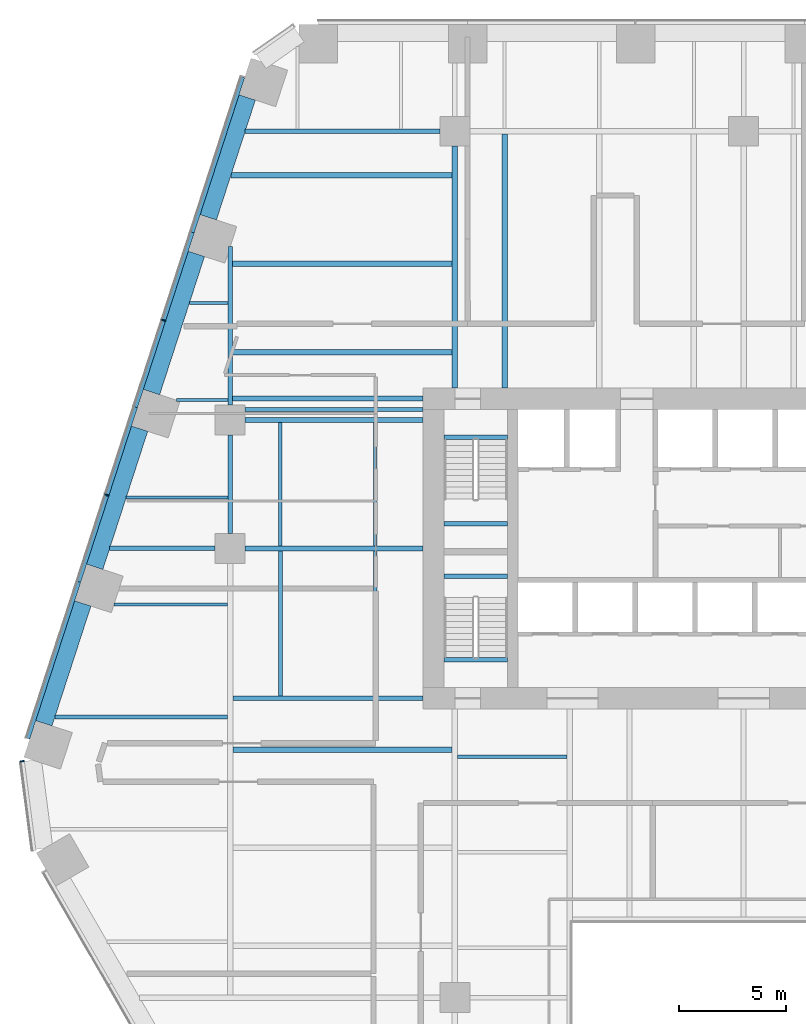
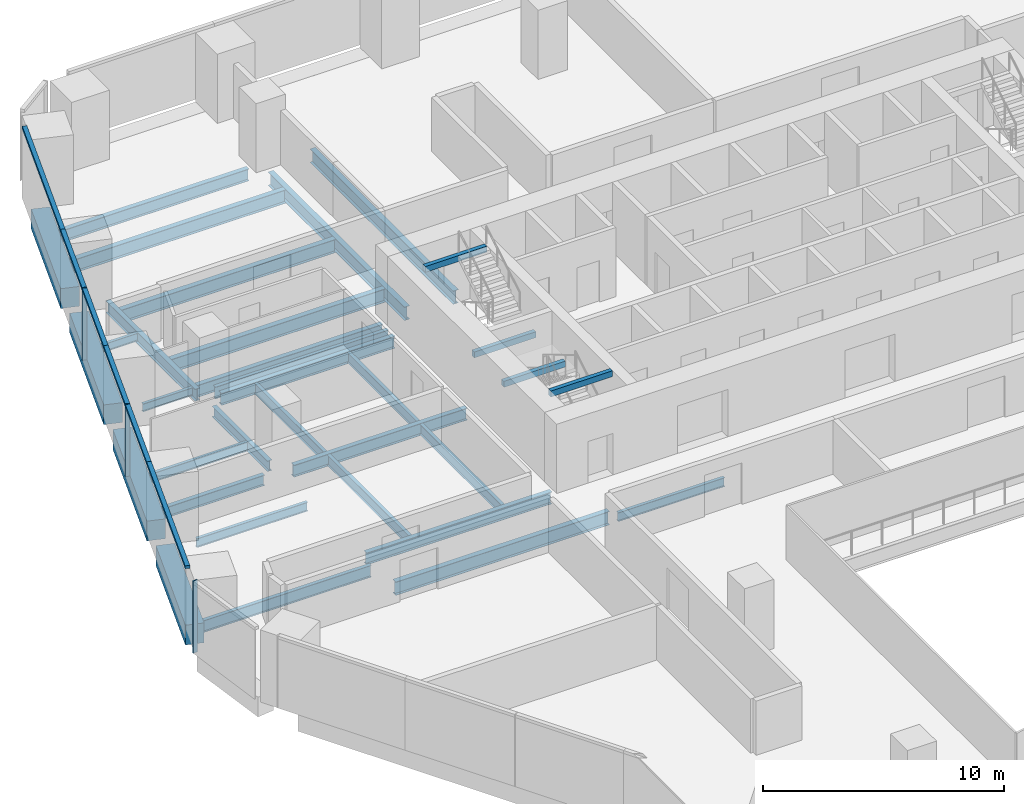
# One storey, part 8 of 20: 33 beams, 9 members, 2 elements without a shape of their own.
"""IFC4 building model written with IfcOpenShell, lengths in metres."""

from ifc_helpers import new_model, si_unit, direction, frame, origin, origin_2d, place, context, subcontext, project, spatial, rectangle, i_section, extrude, material, layer, layer_set, material_profile, profile_set, type_object, element, aggregate, save


model = new_model("IFC4")

# Units and contexts
model_context = context("Model", 3, precision=1e-05, world=origin(), true_north=direction((0.0, 1.0)))
body_context = subcontext(model_context, "Body", "Model", "MODEL_VIEW")
ifc_project = project(units=[si_unit("LENGTHUNIT", "METRE"), si_unit("AREAUNIT", "SQUARE_METRE"), si_unit("VOLUMEUNIT", "CUBIC_METRE"), si_unit("PLANEANGLEUNIT", "RADIAN"), si_unit("MASSUNIT", "GRAM", prefix="KILO")], contexts=[model_context])

# Site, building, storey
site_placement = place(None, origin())
site = spatial("IfcSite", under=ifc_project, at=site_placement, CompositionType="ELEMENT")
building_placement = place(site_placement, origin())
building = spatial("IfcBuilding", under=site, at=building_placement, Name="Isthmus Gate Tower", CompositionType="ELEMENT")
storey_placement = place(building_placement, frame((0.0, 0.0, 61.550048828125)))
storey = spatial("IfcBuildingStorey", under=building, at=storey_placement, Name="L13", CompositionType="ELEMENT", Elevation=61.550048828125)

# Curtain wall, members
ifc_material_1 = material(Name="Aluminium, pale champagne anodised", Category="aluminium")
ifc_layer = layer(ifc_material_1, 0.199951171875)
ifc_layer_set = layer_set([ifc_layer], Name="CW-1 UNITISED CURTAIN WALL 200 DEEP")
curtain_wall_type = type_object("IfcCurtainWallType", Name="CW-1 UNITISED CURTAIN WALL 200 DEEP", PredefinedType="NOTDEFINED", material=ifc_layer_set)
curtain_wall_1_placement = place(storey_placement, origin())
curtain_wall_1 = element("IfcCurtainWall", 1, at=curtain_wall_1_placement, inside=storey, type_object=curtain_wall_type, Name="CW-1 NW L13", PredefinedType="NOTDEFINED")
ifc_material_2 = material(Name="Aluminium, pale champagne anodised", Category="aluminium")
ifc_material_profile_1 = material_profile(ifc_material_2, rectangle(XDim=0.06005859375, YDim=0.199951171875, at=origin_2d()), Name="60x200")
ifc_profile_set_1 = profile_set([ifc_material_profile_1], Name="Aluminium, pale champagne anodised")
member_type_1 = type_object("IfcMemberType", Name="CW-1 MULLION 60 X 200", PredefinedType="MULLION", material=ifc_profile_set_1)
member_1_placement = place(storey_placement, frame((-27.11474609375, 18.163818359375, 0.0), z_axis=(0.0, 0.0, 1.0), x_axis=(-0.309016994375, -0.951056516295, 0.0)))
member_1 = element("IfcMember", 2, at=member_1_placement, type_object=member_type_1, Name="CW-1 mullion", PredefinedType="MULLION", context=body_context, shape_type="SweptSolid", body=[
    extrude(rectangle(XDim=0.06005859375, YDim=0.199951171875, at=origin_2d()), origin(), (0.0, 0.0, 1.0), 3.64990234375),
])
member_2_placement = place(storey_placement, frame((-29.76904296875, 9.994873046875, 0.0), z_axis=(0.0, 0.0, 1.0), x_axis=(-0.309016994375, -0.951056516295, 0.0)))
member_2 = element("IfcMember", 3, at=member_2_placement, type_object=member_type_1, Name="CW-1 mullion", PredefinedType="MULLION", context=body_context, shape_type="SweptSolid", body=[
    extrude(rectangle(XDim=0.06005859375, YDim=0.199951171875, at=origin_2d()), origin(), (0.0, 0.0, 1.0), 3.64990234375),
])

# Curtain wall, member
curtain_wall_2_placement = place(storey_placement, origin())
curtain_wall_2 = element("IfcCurtainWall", 4, at=curtain_wall_2_placement, inside=storey, type_object=curtain_wall_type, Name="CW-1 NW-SW L13", PredefinedType="NOTDEFINED")
member_3_placement = place(storey_placement, frame((-33.722900390625, -2.44482421875, 0.0), z_axis=(0.0, 0.0, 1.0), x_axis=(0.129164534, -0.991623175988, 0.0)))
member_3 = element("IfcMember", 5, at=member_3_placement, type_object=member_type_1, Name="CW-1 mullion", PredefinedType="MULLION", context=body_context, shape_type="SweptSolid", body=[
    extrude(rectangle(XDim=0.06005859375, YDim=0.199951171875, at=origin_2d()), origin(), (0.0, 0.0, 1.0), 3.64990234375),
])
aggregate(curtain_wall_2, [member_3])

# Member
ifc_material_3 = material(Name="Aluminium, pale champagne anodised", Category="aluminium")
ifc_material_profile_2 = material_profile(ifc_material_3, rectangle(XDim=0.199951171875, YDim=0.14990234375, at=origin_2d()), Name="200x150")
ifc_profile_set_2 = profile_set([ifc_material_profile_2], Name="Aluminium, pale champagne anodised")
member_type_2 = type_object("IfcMemberType", Name="CW-1 TRANSOM 200 X 150", PredefinedType="USERDEFINED", material=ifc_profile_set_2)
member_4_placement = place(storey_placement, frame((-23.4208984375, 29.532958984375, 3.574951171875), z_axis=(-0.309018780445, -0.951055935964, 0.0), x_axis=(0.951055935964, -0.309018780445, 0.0)))
member_4 = element("IfcMember", 6, at=member_4_placement, type_object=member_type_2, Name="CW-1 transom", ObjectType="TRANSOM", PredefinedType="USERDEFINED", context=body_context, shape_type="SweptSolid", body=[
    extrude(rectangle(XDim=0.199951171875, YDim=0.14990234375, at=origin_2d()), origin(), (0.0, 0.0, 1.0), 7.629638671875),
])

member_5_placement = place(storey_placement, frame((-25.778564453125, 22.27685546875, 3.574951171875), z_axis=(-0.309021801109, -0.951054954479, 0.0), x_axis=(0.951054954479, -0.309021801109, 0.0)))
member_5 = element("IfcMember", 7, at=member_5_placement, type_object=member_type_2, Name="CW-1 transom", ObjectType="TRANSOM", PredefinedType="USERDEFINED", context=body_context, shape_type="SweptSolid", body=[
    extrude(rectangle(XDim=0.199951171875, YDim=0.14990234375, at=origin_2d()), origin(), (0.0, 0.0, 1.0), 4.294677734375),
])

member_6_placement = place(storey_placement, frame((-27.1240234375, 18.13525390625, 3.574951171875), z_axis=(-0.309023496777, -0.951054403512, 0.0), x_axis=(0.951054403512, -0.309023496777, 0.0)))
member_6 = element("IfcMember", 8, at=member_6_placement, type_object=member_type_2, Name="CW-1 transom", ObjectType="TRANSOM", PredefinedType="USERDEFINED", context=body_context, shape_type="SweptSolid", body=[
    extrude(rectangle(XDim=0.199951171875, YDim=0.14990234375, at=origin_2d()), origin(), (0.0, 0.0, 1.0), 4.234619140625),
])

member_7_placement = place(storey_placement, frame((-28.4326171875, 14.10791015625, 3.574951171875), z_axis=(-0.309021801109, -0.951054954479, 0.0), x_axis=(0.951054954479, -0.309021801109, 0.0)))
member_7 = element("IfcMember", 9, at=member_7_placement, type_object=member_type_2, Name="CW-1 transom", ObjectType="TRANSOM", PredefinedType="USERDEFINED", context=body_context, shape_type="SweptSolid", body=[
    extrude(rectangle(XDim=0.199951171875, YDim=0.14990234375, at=origin_2d()), origin(), (0.0, 0.0, 1.0), 4.294677734375),
])

member_8_placement = place(storey_placement, frame((-29.7783203125, 9.96630859375, 3.574951171875), z_axis=(-0.309023496777, -0.951054403512, 0.0), x_axis=(0.951054403512, -0.309023496777, 0.0)))
member_8 = element("IfcMember", 10, at=member_8_placement, type_object=member_type_2, Name="CW-1 transom", ObjectType="TRANSOM", PredefinedType="USERDEFINED", context=body_context, shape_type="SweptSolid", body=[
    extrude(rectangle(XDim=0.199951171875, YDim=0.14990234375, at=origin_2d()), origin(), (0.0, 0.0, 1.0), 4.234619140625),
])

member_9_placement = place(storey_placement, frame((-31.0869140625, 5.93896484375, 3.574951171875), z_axis=(-0.30902720148, -0.951053199745, 0.0), x_axis=(0.951053199745, -0.30902720148, 0.0)))
member_9 = element("IfcMember", 11, at=member_9_placement, type_object=member_type_2, Name="CW-1 transom", ObjectType="TRANSOM", PredefinedType="USERDEFINED", context=body_context, shape_type="SweptSolid", body=[
    extrude(rectangle(XDim=0.199951171875, YDim=0.14990234375, at=origin_2d()), origin(), (0.0, 0.0, 1.0), 7.689453125),
])

aggregate(curtain_wall_1, [member_4, member_5, member_1, member_6, member_7, member_2, member_8, member_9])

# Beams
ifc_material_4 = material(Name="Concrete f'c 70 MPa", Category="concrete")
ifc_material_profile_3 = material_profile(ifc_material_4, rectangle(XDim=0.800048828125, YDim=1.0, at=origin_2d()), Name="RC 800X1000")
ifc_profile_set_3 = profile_set([ifc_material_profile_3], Name="Concrete f'c 70 MPa")
beam_type_1 = type_object("IfcBeamType", Name="RC SPANDREL 800 X 1000", PredefinedType="SPANDREL", material=ifc_profile_set_3)
beam_1_placement = place(storey_placement, frame((-32.70947265625, -0.672607421875, -0.5), z_axis=(0.309005457803, 0.951060264677, 0.0), x_axis=(-0.951060264677, 0.309005457803, 0.0)))
element("IfcBeam", 12, at=beam_1_placement, inside=storey, type_object=beam_type_1, Name="str-spandrel-L13-18", PredefinedType="SPANDREL", context=body_context, shape_type="SweptSolid", body=[
    extrude(rectangle(XDim=0.800048828125, YDim=1.0, at=origin_2d()), origin(), (0.0, 0.0, 1.0), 5.889404296875),
])
for number, where, z_axis, x_axis, name in (
    (13, (-30.333251953125, 6.640380859375, -0.5), (0.30900150794, 0.951061548004, 0.0), (-0.951061548004, 0.30900150794, 0.0), "str-spandrel-L13-19"),
    (14, (-27.67919921875, 14.809326171875, -0.5), (0.309034033576, 0.951050979754, 0.0), (-0.951050979754, 0.309034033576, 0.0), "str-spandrel-L13-20"),
):
    element("IfcBeam", number, at=place(storey_placement, frame(where, z_axis=z_axis, x_axis=x_axis)), inside=storey, type_object=beam_type_1, Name=name, PredefinedType="SPANDREL", context=body_context, shape_type="SweptSolid", body=[
        extrude(rectangle(XDim=0.800048828125, YDim=1.0, at=origin_2d()), origin(), (0.0, 0.0, 1.0), 6.789306640625),
    ])
beam_2_placement = place(storey_placement, frame((-25.02490234375, 22.978271484375, -0.5), z_axis=(0.309042953764, 0.951048081187, 0.0), x_axis=(-0.951048081187, 0.309042953764, 0.0)))
element("IfcBeam", 15, at=beam_2_placement, inside=storey, type_object=beam_type_1, Name="str-spandrel-L13-21", PredefinedType="SPANDREL", context=body_context, shape_type="SweptSolid", body=[
    extrude(rectangle(XDim=0.800048828125, YDim=1.0, at=origin_2d()), origin(), (0.0, 0.0, 1.0), 5.889404296875),
])
ifc_material_5 = material(Name="Concrete f'c 40 MPa", Category="concrete")
ifc_material_profile_4 = material_profile(ifc_material_5, rectangle(XDim=0.199951171875, YDim=0.300048828125, at=origin_2d()), Name="STAIR LANDING BEAM RC 200 X 300")
ifc_profile_set_4 = profile_set([ifc_material_profile_4], Name="Concrete f'c 40 MPa")
beam_type_2 = type_object("IfcBeamType", Name="STAIR LANDING BEAM RC 200 X 300", PredefinedType="BEAM", material=ifc_profile_set_4)
for number, where, z_axis, x_axis, name in (
    (16, (-14.0, 8.64990234375, 1.474853515625), (1.0, 0.0, 0.0), (0.0, 1.0, 0.0), "L13 ST1 landing beam 1"),
    (17, (-14.0, 12.7001953125, 3.349853515625), (1.0, 0.0, 0.0), (0.0, 1.0, 0.0), "L13 ST1 floor-edge seat beam"),
    (18, (-14.0, 6.199951171875, 1.474853515625), (1.0, 0.0, 0.0), (0.0, 1.0, 0.0), "L13 ST7 landing beam 1"),
    (19, (-14.0, 2.2998046875, 3.349853515625), (1.0, 0.0, 0.0), (0.0, 1.0, 0.0), "L13 ST7 floor-edge seat beam"),
):
    element("IfcBeam", number, at=place(storey_placement, frame(where, z_axis=z_axis, x_axis=x_axis)), inside=storey, type_object=beam_type_2, Name=name, PredefinedType="BEAM", context=body_context, shape_type="SweptSolid", body=[
        extrude(rectangle(XDim=0.199951171875, YDim=0.300048828125, at=origin_2d()), origin(), (0.0, 0.0, 1.0), 2.949951171875),
    ])
ifc_material_6 = material(Name="Structural steel ASTM A992 Gr 50", Category="steel")
ifc_material_profile_5 = material_profile(ifc_material_6, i_section(OverallWidth=0.1396484375, OverallDepth=0.4033203125, WebThickness=0.00634765625, FlangeThickness=0.010986328125, at=origin_2d()), Name="W16X31")
ifc_profile_set_5 = profile_set([ifc_material_profile_5], Name="Structural steel ASTM A992 Gr 50")
beam_type_3 = type_object("IfcBeamType", Name="STEEL FLOOR BEAM W16X31", PredefinedType="JOIST", material=ifc_profile_set_5)
beam_3_placement = place(storey_placement, frame((-26.503662109375, 14.427490234375, -0.3515625), z_axis=(1.0, 0.0, 0.0), x_axis=(0.0, 1.0, 0.0)))
element("IfcBeam", 20, at=beam_3_placement, inside=storey, type_object=beam_type_3, Name="str-beam-L13-01-01", PredefinedType="JOIST", context=body_context, shape_type="SweptSolid", body=[
    extrude(i_section(OverallWidth=0.1396484375, OverallDepth=0.4033203125, WebThickness=0.00634765625, FlangeThickness=0.010986328125, at=origin_2d()), origin(), (0.0, 0.0, 1.0), 2.389404296875),
])
beam_4_placement = place(storey_placement, frame((-25.90478515625, 18.975830078125, -0.3515625), z_axis=(1.0, 0.0, 0.0), x_axis=(0.0, 1.0, 0.0)))
element("IfcBeam", 21, at=beam_4_placement, inside=storey, type_object=beam_type_3, Name="str-beam-L13-01-02", PredefinedType="JOIST", context=body_context, shape_type="SweptSolid", body=[
    extrude(i_section(OverallWidth=0.1396484375, OverallDepth=0.4033203125, WebThickness=0.00634765625, FlangeThickness=0.010986328125, at=origin_2d()), origin(), (0.0, 0.0, 1.0), 1.79052734375),
])
ifc_material_7 = material(Name="Structural steel ASTM A992 Gr 50", Category="steel")
ifc_material_profile_6 = material_profile(ifc_material_7, i_section(OverallWidth=0.15234375, OverallDepth=0.45068359375, WebThickness=0.0078125, FlangeThickness=0.010986328125, at=origin_2d()), Name="W18X35")
ifc_profile_set_6 = profile_set([ifc_material_profile_6], Name="Structural steel ASTM A992 Gr 50")
beam_type_4 = type_object("IfcBeamType", Name="STEEL FLOOR BEAM W18X35", PredefinedType="JOIST", material=ifc_profile_set_6)
beam_5_placement = place(storey_placement, frame((-29.434814453125, 4.875, -0.37548828125), z_axis=(1.0, 0.0, 0.0), x_axis=(0.0, 1.0, 0.0)))
element("IfcBeam", 22, at=beam_5_placement, inside=storey, type_object=beam_type_4, Name="str-beam-L13-00-03", PredefinedType="JOIST", context=body_context, shape_type="SweptSolid", body=[
    extrude(i_section(OverallWidth=0.15234375, OverallDepth=0.45068359375, WebThickness=0.0078125, FlangeThickness=0.010986328125, at=origin_2d()), origin(), (0.0, 0.0, 1.0), 5.301513671875),
])
beam_6_placement = place(storey_placement, frame((-28.860595703125, 9.87890625, -0.37548828125), z_axis=(1.0, 0.0, 0.0), x_axis=(0.0, 1.0, 0.0)))
element("IfcBeam", 23, at=beam_6_placement, inside=storey, type_object=beam_type_4, Name="str-beam-L13-01-00", PredefinedType="JOIST", context=body_context, shape_type="SweptSolid", body=[
    extrude(i_section(OverallWidth=0.15234375, OverallDepth=0.45068359375, WebThickness=0.0078125, FlangeThickness=0.010986328125, at=origin_2d()), origin(), (0.0, 0.0, 1.0), 4.755859375),
])
beam_7_placement = place(storey_placement, frame((-13.3681640625, -2.232421875, -0.37548828125), z_axis=(1.0, 0.0, 0.0), x_axis=(0.0, 1.0, 0.0)))
element("IfcBeam", 24, at=beam_7_placement, inside=storey, type_object=beam_type_4, Name="str-beam-L13-11-02", PredefinedType="JOIST", context=body_context, shape_type="SweptSolid", body=[
    extrude(i_section(OverallWidth=0.15234375, OverallDepth=0.45068359375, WebThickness=0.0078125, FlangeThickness=0.010986328125, at=origin_2d()), origin(), (0.0, 0.0, 1.0), 5.1015625),
])
ifc_material_8 = material(Name="Structural steel ASTM A992 Gr 50", Category="steel")
ifc_material_profile_7 = material_profile(ifc_material_8, i_section(OverallWidth=0.1650390625, OverallDepth=0.52392578125, WebThickness=0.009521484375, FlangeThickness=0.010986328125, at=origin_2d()), Name="W21X44")
ifc_profile_set_7 = profile_set([ifc_material_profile_7], Name="Structural steel ASTM A992 Gr 50")
beam_type_5 = type_object("IfcBeamType", Name="STEEL FLOOR BEAM W21X44", PredefinedType="JOIST", material=ifc_profile_set_7)
for number, where, z_axis, x_axis, name in (
    (25, (-21.64990234375, 0.6142578125, -0.412109375), (0.0, 1.0, 0.0), (-1.0, 0.0, 0.0), "str-beam-L13-02-00"),
    (26, (-17.216552734375, 0.6142578125, -0.412109375), (0.0, 1.0, 0.0), (-1.0, 0.0, 0.0), "str-beam-L13-02-01"),
):
    element("IfcBeam", number, at=place(storey_placement, frame(where, z_axis=z_axis, x_axis=x_axis)), inside=storey, type_object=beam_type_5, Name=name, PredefinedType="JOIST", context=body_context, shape_type="SweptSolid", body=[
        extrude(i_section(OverallWidth=0.1650390625, OverallDepth=0.52392578125, WebThickness=0.009521484375, FlangeThickness=0.010986328125, at=origin_2d()), origin(), (0.0, 0.0, 1.0), 6.771484375),
    ])
for number, where, z_axis, x_axis, name in (
    (27, (-21.67138671875, 7.6142578125, -0.412109375), (0.0, 1.0, 0.0), (-1.0, 0.0, 0.0), "str-beam-L13-03-00"),
    (28, (-17.223876953125, 7.6142578125, -0.412109375), (0.0, 1.0, 0.0), (-1.0, 0.0, 0.0), "str-beam-L13-03-01"),
):
    element("IfcBeam", number, at=place(storey_placement, frame(where, z_axis=z_axis, x_axis=x_axis)), inside=storey, type_object=beam_type_5, Name=name, PredefinedType="JOIST", context=body_context, shape_type="SweptSolid", body=[
        extrude(i_section(OverallWidth=0.1650390625, OverallDepth=0.52392578125, WebThickness=0.009521484375, FlangeThickness=0.010986328125, at=origin_2d()), origin(), (0.0, 0.0, 1.0), 5.771484375),
    ])
ifc_material_9 = material(Name="Structural steel ASTM A992 Gr 50", Category="steel")
ifc_material_profile_8 = material_profile(ifc_material_9, i_section(OverallWidth=0.177734375, OverallDepth=0.60009765625, WebThickness=0.009521484375, FlangeThickness=0.0126953125, at=origin_2d()), Name="W24X55")
ifc_profile_set_8 = profile_set([ifc_material_profile_8], Name="Structural steel ASTM A992 Gr 50")
beam_type_6 = type_object("IfcBeamType", Name="STEEL FLOOR BEAM W24X55", PredefinedType="JOIST", material=ifc_profile_set_8)
beam_8_placement = place(storey_placement, frame((-32.192138671875, -0.375, -0.4501953125), z_axis=(1.0, 0.0, 0.0), x_axis=(0.0, 1.0, 0.0)))
element("IfcBeam", 29, at=beam_8_placement, inside=storey, type_object=beam_type_6, Name="str-beam-L13-00-02", PredefinedType="JOIST", context=body_context, shape_type="SweptSolid", body=[
    extrude(i_section(OverallWidth=0.177734375, OverallDepth=0.60009765625, WebThickness=0.009521484375, FlangeThickness=0.0126953125, at=origin_2d()), origin(), (0.0, 0.0, 1.0), 8.058837890625),
])
beam_9_placement = place(storey_placement, frame((-23.300048828125, 14.0, -0.4501953125), z_axis=(1.0, 0.0, 0.0), x_axis=(0.0, 1.0, 0.0)))
element("IfcBeam", 30, at=beam_9_placement, inside=storey, type_object=beam_type_6, Name="str-beam-L13-04-00", PredefinedType="JOIST", context=body_context, shape_type="SweptSolid", body=[
    extrude(i_section(OverallWidth=0.177734375, OverallDepth=0.60009765625, WebThickness=0.009521484375, FlangeThickness=0.0126953125, at=origin_2d()), origin(), (0.0, 0.0, 1.0), 8.300048828125),
])
ifc_material_10 = material(Name="Structural steel ASTM A992 Gr 50", Category="steel")
ifc_material_profile_9 = material_profile(ifc_material_10, i_section(OverallWidth=0.25390625, OverallDepth=0.679443359375, WebThickness=0.010986328125, FlangeThickness=0.015869140625, at=origin_2d()), Name="W27X84")
ifc_profile_set_9 = profile_set([ifc_material_profile_9], Name="Structural steel ASTM A992 Gr 50")
beam_type_7 = type_object("IfcBeamType", Name="STEEL FLOOR BEAM W27X84", PredefinedType="JOIST", material=ifc_profile_set_9)
for number, where, z_axis, x_axis, name in (
    (31, (-23.8857421875, 16.678466796875, -0.48974609375), (1.0, 0.0, 0.0), (0.0, 1.0, 0.0), "str-beam-L13-06-00"),
    (32, (-23.8857421875, 20.80712890625, -0.48974609375), (1.0, 0.0, 0.0), (0.0, 1.0, 0.0), "str-beam-L13-06-01"),
):
    element("IfcBeam", number, at=place(storey_placement, frame(where, z_axis=z_axis, x_axis=x_axis)), inside=storey, type_object=beam_type_7, Name=name, PredefinedType="JOIST", context=body_context, shape_type="SweptSolid", body=[
        extrude(i_section(OverallWidth=0.25390625, OverallDepth=0.679443359375, WebThickness=0.010986328125, FlangeThickness=0.015869140625, at=origin_2d()), origin(), (0.0, 0.0, 1.0), 10.2587890625),
    ])
beam_10_placement = place(storey_placement, frame((-23.96826171875, 24.935791015625, -0.48974609375), z_axis=(1.0, 0.0, 0.0), x_axis=(0.0, 1.0, 0.0)))
element("IfcBeam", 33, at=beam_10_placement, inside=storey, type_object=beam_type_7, Name="str-beam-L13-06-02", PredefinedType="JOIST", context=body_context, shape_type="SweptSolid", body=[
    extrude(i_section(OverallWidth=0.25390625, OverallDepth=0.679443359375, WebThickness=0.010986328125, FlangeThickness=0.015869140625, at=origin_2d()), origin(), (0.0, 0.0, 1.0), 10.34130859375),
])
beam_11_placement = place(storey_placement, frame((-23.86669921875, -1.90625, -0.48974609375), z_axis=(1.0, 0.0, 0.0), x_axis=(0.0, 1.0, 0.0)))
element("IfcBeam", 34, at=beam_11_placement, inside=storey, type_object=beam_type_7, Name="str-beam-L13-07-02", PredefinedType="JOIST", context=body_context, shape_type="SweptSolid", body=[
    extrude(i_section(OverallWidth=0.25390625, OverallDepth=0.679443359375, WebThickness=0.010986328125, FlangeThickness=0.015869140625, at=origin_2d()), origin(), (0.0, 0.0, 1.0), 10.23486328125),
])
beam_12_placement = place(storey_placement, frame((-11.165283203125, 15.0, -0.48974609375), z_axis=(0.0, 1.0, 0.0), x_axis=(-1.0, 0.0, 0.0)))
element("IfcBeam", 35, at=beam_12_placement, inside=storey, type_object=beam_type_7, Name="str-beam-L13-13-00", PredefinedType="JOIST", context=body_context, shape_type="SweptSolid", body=[
    extrude(i_section(OverallWidth=0.25390625, OverallDepth=0.679443359375, WebThickness=0.010986328125, FlangeThickness=0.015869140625, at=origin_2d()), origin(), (0.0, 0.0, 1.0), 11.8681640625),
])
ifc_material_11 = material(Name="Structural steel ASTM A992 Gr 50", Category="steel")
ifc_material_profile_10 = material_profile(ifc_material_11, i_section(OverallWidth=0.20947265625, OverallDepth=0.533447265625, WebThickness=0.009521484375, FlangeThickness=0.015869140625, at=origin_2d()), Name="W21X62")
ifc_profile_set_10 = profile_set([ifc_material_profile_10], Name="Structural steel ASTM A992 Gr 50")
beam_type_8 = type_object("IfcBeamType", Name="STEEL GIRDER W21X62", PredefinedType="BEAM", material=ifc_profile_set_10)
beam_13_placement = place(storey_placement, frame((-29.633544921875, 7.5, -0.416748046875), z_axis=(1.0, 0.0, 0.0), x_axis=(0.0, 1.0, 0.0)))
element("IfcBeam", 36, at=beam_13_placement, inside=storey, type_object=beam_type_8, Name="str-girder-L13-09", PredefinedType="BEAM", context=body_context, shape_type="SweptSolid", body=[
    extrude(i_section(OverallWidth=0.20947265625, OverallDepth=0.533447265625, WebThickness=0.009521484375, FlangeThickness=0.015869140625, at=origin_2d()), origin(), (0.0, 0.0, 1.0), 4.93359375),
])
beam_14_placement = place(storey_placement, frame((-24.0, 8.199951171875, -0.416748046875), z_axis=(0.0, 1.0, 0.0), x_axis=(-1.0, 0.0, 0.0)))
element("IfcBeam", 37, at=beam_14_placement, inside=storey, type_object=beam_type_8, Name="str-girder-L13-21", PredefinedType="BEAM", context=body_context, shape_type="SweptSolid", body=[
    extrude(i_section(OverallWidth=0.20947265625, OverallDepth=0.533447265625, WebThickness=0.009521484375, FlangeThickness=0.015869140625, at=origin_2d()), origin(), (0.0, 0.0, 1.0), 4.60009765625),
])
ifc_material_12 = material(Name="Structural steel ASTM A992 Gr 50", Category="steel")
ifc_material_profile_11 = material_profile(ifc_material_12, i_section(OverallWidth=0.228515625, OverallDepth=0.603271484375, WebThickness=0.010986328125, FlangeThickness=0.014404296875, at=origin_2d()), Name="W24X68")
ifc_profile_set_11 = profile_set([ifc_material_profile_11], Name="Structural steel ASTM A992 Gr 50")
beam_type_9 = type_object("IfcBeamType", Name="STEEL GIRDER W24X68", PredefinedType="BEAM", material=ifc_profile_set_11)
beam_15_placement = place(storey_placement, frame((-24.0, 14.199951171875, -0.45166015625), z_axis=(0.0, 1.0, 0.0), x_axis=(-1.0, 0.0, 0.0)))
element("IfcBeam", 38, at=beam_15_placement, inside=storey, type_object=beam_type_9, Name="str-girder-L13-22", PredefinedType="BEAM", context=body_context, shape_type="SweptSolid", body=[
    extrude(i_section(OverallWidth=0.228515625, OverallDepth=0.603271484375, WebThickness=0.010986328125, FlangeThickness=0.014404296875, at=origin_2d()), origin(), (0.0, 0.0, 1.0), 7.402099609375),
])
ifc_material_13 = material(Name="Structural steel ASTM A992 Gr 50", Category="steel")
ifc_material_profile_12 = material_profile(ifc_material_13, i_section(OverallWidth=0.228515625, OverallDepth=0.6064453125, WebThickness=0.010986328125, FlangeThickness=0.017578125, at=origin_2d()), Name="W24X76")
ifc_profile_set_12 = profile_set([ifc_material_profile_12], Name="Structural steel ASTM A992 Gr 50")
beam_type_10 = type_object("IfcBeamType", Name="STEEL GIRDER W24X76", PredefinedType="BEAM", material=ifc_profile_set_12)
for number, where, z_axis, x_axis, name in (
    (39, (-23.300048828125, 7.5, -0.453369140625), (1.0, 0.0, 0.0), (0.0, 1.0, 0.0), "str-girder-L13-10"),
    (40, (-23.300048828125, 13.5, -0.453369140625), (1.0, 0.0, 0.0), (0.0, 1.0, 0.0), "str-girder-L13-13"),
):
    element("IfcBeam", number, at=place(storey_placement, frame(where, z_axis=z_axis, x_axis=x_axis)), inside=storey, type_object=beam_type_10, Name=name, PredefinedType="BEAM", context=body_context, shape_type="SweptSolid", body=[
        extrude(i_section(OverallWidth=0.228515625, OverallDepth=0.6064453125, WebThickness=0.010986328125, FlangeThickness=0.017578125, at=origin_2d()), origin(), (0.0, 0.0, 1.0), 8.300048828125),
    ])
beam_16_placement = place(storey_placement, frame((-23.297607421875, 27.0, -0.453369140625), z_axis=(1.0, 0.0, 0.0), x_axis=(0.0, 1.0, 0.0)))
element("IfcBeam", 41, at=beam_16_placement, inside=storey, type_object=beam_type_10, Name="str-girder-L13-16", PredefinedType="BEAM", context=body_context, shape_type="SweptSolid", body=[
    extrude(i_section(OverallWidth=0.228515625, OverallDepth=0.6064453125, WebThickness=0.010986328125, FlangeThickness=0.017578125, at=origin_2d()), origin(), (0.0, 0.0, 1.0), 9.09765625),
])
beam_17_placement = place(storey_placement, frame((-15.0, 0.5, -0.453369140625), z_axis=(-1.0, 0.0, 0.0), x_axis=(0.0, -1.0, 0.0)))
element("IfcBeam", 42, at=beam_17_placement, inside=storey, type_object=beam_type_10, Name="str-girder-L13-38", PredefinedType="BEAM", context=body_context, shape_type="SweptSolid", body=[
    extrude(i_section(OverallWidth=0.228515625, OverallDepth=0.6064453125, WebThickness=0.010986328125, FlangeThickness=0.017578125, at=origin_2d()), origin(), (0.0, 0.0, 1.0), 8.86669921875),
])
beam_18_placement = place(storey_placement, frame((-15.0, 14.5, -0.453369140625), z_axis=(-1.0, 0.0, 0.0), x_axis=(0.0, -1.0, 0.0)))
element("IfcBeam", 43, at=beam_18_placement, inside=storey, type_object=beam_type_10, Name="str-girder-L13-40", PredefinedType="BEAM", context=body_context, shape_type="SweptSolid", body=[
    extrude(i_section(OverallWidth=0.228515625, OverallDepth=0.6064453125, WebThickness=0.010986328125, FlangeThickness=0.017578125, at=origin_2d()), origin(), (0.0, 0.0, 1.0), 8.8857421875),
])
ifc_material_14 = material(Name="Structural steel ASTM A992 Gr 50", Category="steel")
ifc_material_profile_13 = material_profile(ifc_material_14, i_section(OverallWidth=0.25390625, OverallDepth=0.679443359375, WebThickness=0.010986328125, FlangeThickness=0.015869140625, at=origin_2d()), Name="W27X84")
ifc_profile_set_13 = profile_set([ifc_material_profile_13], Name="Structural steel ASTM A992 Gr 50")
beam_type_11 = type_object("IfcBeamType", Name="STEEL GIRDER W27X84", PredefinedType="BEAM", material=ifc_profile_set_13)
beam_19_placement = place(storey_placement, frame((-13.5, 15.0, -0.48974609375), z_axis=(0.0, 1.0, 0.0), x_axis=(-1.0, 0.0, 0.0)))
element("IfcBeam", 44, at=beam_19_placement, inside=storey, type_object=beam_type_11, Name="str-girder-L13-26", PredefinedType="BEAM", context=body_context, shape_type="SweptSolid", body=[
    extrude(i_section(OverallWidth=0.25390625, OverallDepth=0.679443359375, WebThickness=0.010986328125, FlangeThickness=0.015869140625, at=origin_2d()), origin(), (0.0, 0.0, 1.0), 11.300048828125),
])

save(model, "model.ifc")
